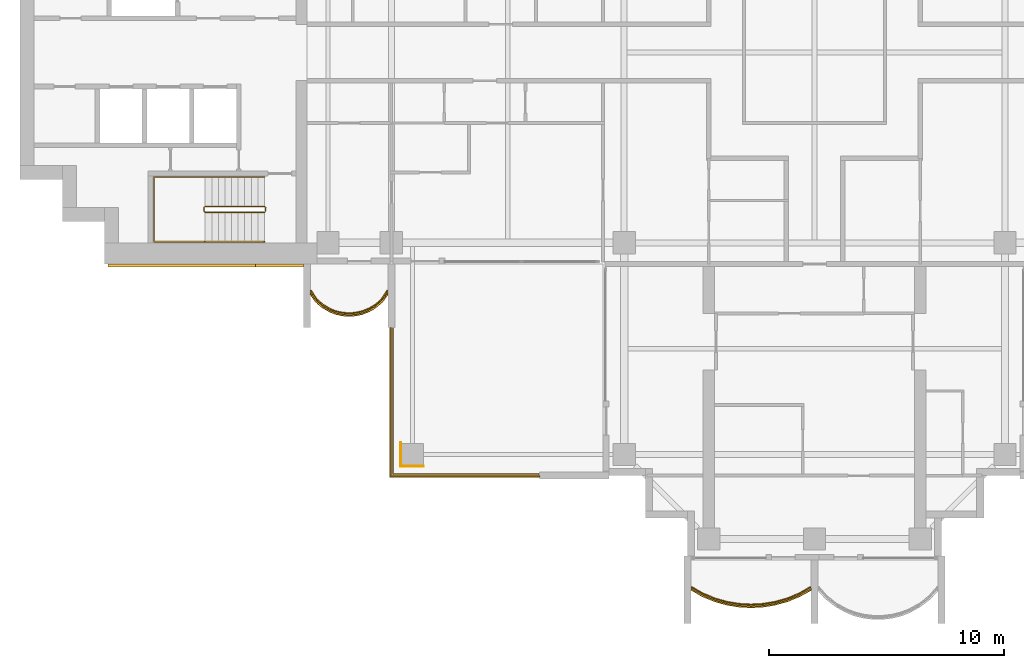
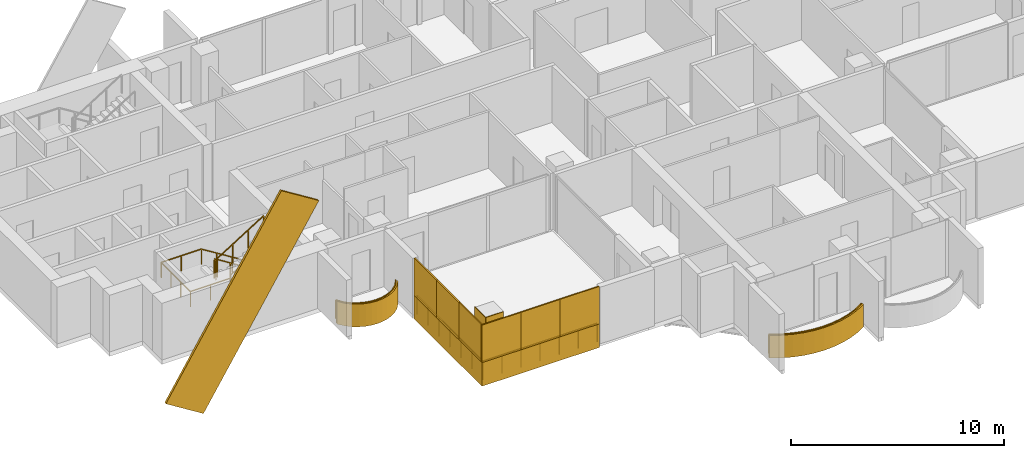
# One storey, part 14 of 17: 12 coverings, 5 railings.
"""IFC4 building model written with IfcOpenShell, lengths in metres."""

from ifc_helpers import new_model, si_unit, direction, frame, origin, origin_2d, place, context, subcontext, project, spatial, polyline, rectangle, outline, extrude, material, layer, layer_set, material_profile, profile_set, type_object, element, save


model = new_model("IFC4")

# Units and contexts
model_context = context("Model", 3, precision=1e-05, world=origin(), true_north=direction((0.0, 1.0)))
body_context = subcontext(model_context, "Body", "Model", "MODEL_VIEW")
ifc_project = project(units=[si_unit("LENGTHUNIT", "METRE"), si_unit("AREAUNIT", "SQUARE_METRE"), si_unit("VOLUMEUNIT", "CUBIC_METRE"), si_unit("PLANEANGLEUNIT", "RADIAN"), si_unit("MASSUNIT", "GRAM", prefix="KILO")], contexts=[model_context])

# Site, building, storey
site_placement = place(None, origin())
site = spatial("IfcSite", under=ifc_project, at=site_placement, CompositionType="ELEMENT")
building_placement = place(site_placement, origin())
building = spatial("IfcBuilding", under=site, at=building_placement, Name="Perihelion Cross Residences", CompositionType="ELEMENT")
storey_placement = place(building_placement, frame((0.0, 0.0, 198.10009765625)))
storey = spatial("IfcBuildingStorey", under=building, at=storey_placement, Name="L49", CompositionType="ELEMENT", Elevation=198.10009765625)

# Coverings
ifc_material_1 = material(Name="Bronze anodised aluminium", Category="aluminium")
ifc_layer_1 = layer(ifc_material_1, 0.070068359375)
ifc_layer_set_1 = layer_set([ifc_layer_1], Name="Balcony fascia 1300")
covering_type_1 = type_object("IfcCoveringType", Name="Balcony fascia 1300", PredefinedType="CLADDING", material=ifc_layer_set_1)
covering_1_placement = place(storey_placement, frame((0.0, 0.0, -0.2001953125)))
element("IfcCovering", 1, at=covering_1_placement, inside=storey, type_object=covering_type_1, Name="Fascia BF1 L49 west side south bay 1", PredefinedType="CLADDING", context=body_context, shape_type="SweptSolid", body=[
    extrude(outline(polyline([(-21.226318359375, -10.616455078125), (-20.94091796875, -10.86328125), (-20.655517578125, -11.031494140625), (-20.370361328125, -11.142578125), (-20.085205078125, -11.206298828125), (-19.800048828125, -11.22705078125), (-19.514892578125, -11.206298828125), (-19.229736328125, -11.142578125), (-18.9443359375, -11.031494140625), (-18.6591796875, -10.86328125), (-18.373779296875, -10.616455078125), (-18.14990234375, -10.31689453125), (-18.14990234375, -10.199951171875), (-18.425048828125, -10.568603515625), (-18.699951171875, -10.806396484375), (-18.97509765625, -10.96875), (-19.25, -11.07568359375), (-19.52490234375, -11.136962890625), (-19.800048828125, -11.156982421875), (-20.074951171875, -11.136962890625), (-20.35009765625, -11.07568359375), (-20.625, -10.96875), (-20.89990234375, -10.806396484375), (-21.175048828125, -10.568603515625), (-21.449951171875, -10.199951171875), (-21.449951171875, -10.31689453125), (-21.226318359375, -10.616455078125)])), origin(), (0.0, 0.0, 1.0), 1.300048828125),
])
covering_2_placement = place(storey_placement, frame((0.0, 0.0, -0.2001953125)))
element("IfcCovering", 2, at=covering_2_placement, inside=storey, type_object=covering_type_1, Name="Fascia BF1 L49 south tip south bay 1", PredefinedType="CLADDING", context=body_context, shape_type="SweptSolid", body=[
    extrude(outline(polyline([(-4.7705078125, -23.1484375), (-4.2529296875, -23.36083984375), (-3.735107421875, -23.506591796875), (-3.217529296875, -23.591796875), (-2.699951171875, -23.6201171875), (-2.182373046875, -23.591796875), (-1.664794921875, -23.506591796875), (-1.147216796875, -23.36083984375), (-0.629638671875, -23.1484375), (-0.14990234375, -22.880126953125), (-0.14990234375, -22.800048828125), (-0.659912109375, -23.085205078125), (-1.169921875, -23.294677734375), (-1.679931640625, -23.438232421875), (-2.18994140625, -23.522216796875), (-2.699951171875, -23.550048828125), (-3.2099609375, -23.522216796875), (-3.719970703125, -23.438232421875), (-4.22998046875, -23.294677734375), (-4.739990234375, -23.085205078125), (-5.25, -22.800048828125), (-5.25, -22.880126953125), (-4.7705078125, -23.1484375)])), origin(), (0.0, 0.0, 1.0), 1.300048828125),
])

# Railings
ifc_material_2 = material(Name="Bronze anodised aluminium", Category="aluminium")
railing_type_1 = type_object("IfcRailingType", Name="Balcony guard 1100", PredefinedType="GUARDRAIL", material=ifc_material_2)
railing_1_placement = place(storey_placement, frame((-21.425048828125, -10.139892578125, 0.0)))
element("IfcRailing", 3, at=railing_1_placement, inside=storey, type_object=railing_type_1, Name="Guard GU1 L49 west side south bay 1 balcony", PredefinedType="GUARDRAIL", context=body_context, shape_type="SweptSolid", body=[
    extrude(rectangle(XDim=0.048095703125, YDim=0.048095703125, at=origin_2d()), frame((0.0, 0.0, 1.076171875), z_axis=(0.561260132269, -0.827639452857, 0.0), x_axis=(0.827639452857, 0.561260132269, 0.0)), (0.0, 0.0, 1.0), 0.4453125),
    extrude(rectangle(XDim=0.048095703125, YDim=0.048095703125, at=origin_2d()), frame((0.25, -0.36865234375, 1.076171875), z_axis=(0.756596535164, -0.653882009982, 0.0), x_axis=(0.653882009982, 0.756596535164, 0.0)), (0.0, 0.0, 1.0), 0.36376953125),
    extrude(rectangle(XDim=0.048095703125, YDim=0.048095703125, at=origin_2d()), frame((0.525146484375, -0.6064453125, 1.076171875), z_axis=(0.861048292884, -0.508523192511, 0.0), x_axis=(0.508523192511, 0.861048292884, 0.0)), (0.0, 0.0, 1.0), 0.3193359375),
    extrude(rectangle(XDim=0.048095703125, YDim=0.048095703125, at=origin_2d()), frame((0.800048828125, -0.768798828125, 1.076171875), z_axis=(0.931973602183, -0.362526143656, 0.0), x_axis=(0.362526143656, 0.931973602183, 0.0)), (0.0, 0.0, 1.0), 0.294921875),
    extrude(rectangle(XDim=0.048095703125, YDim=0.048095703125, at=origin_2d()), frame((1.074951171875, -0.875732421875, 1.076171875), z_axis=(0.976085059389, -0.21738895289, 0.0), x_axis=(0.21738895289, 0.976085059389, 0.0)), (0.0, 0.0, 1.0), 0.281982421875),
    extrude(rectangle(XDim=0.048095703125, YDim=0.048095703125, at=origin_2d()), frame((1.35009765625, -0.93701171875, 1.076171875), z_axis=(0.997358821833, -0.072631814734, 0.0), x_axis=(0.072631814734, 0.997358821833, 0.0)), (0.0, 0.0, 1.0), 0.275634765625),
    extrude(rectangle(XDim=0.048095703125, YDim=0.048095703125, at=origin_2d()), frame((1.625, -0.95703125, 1.076171875), z_axis=(0.997363488337, 0.072567707226, 0.0), x_axis=(-0.072567707226, 0.997363488337, 0.0)), (0.0, 0.0, 1.0), 0.27587890625),
    extrude(rectangle(XDim=0.048095703125, YDim=0.048095703125, at=origin_2d()), frame((1.900146484375, -0.93701171875, 1.076171875), z_axis=(0.976044077717, 0.217572880557, 0.0), x_axis=(-0.217572880557, 0.976044077717, 0.0)), (0.0, 0.0, 1.0), 0.28173828125),
    extrude(rectangle(XDim=0.048095703125, YDim=0.048095703125, at=origin_2d()), frame((2.175048828125, -0.875732421875, 1.076171875), z_axis=(0.931973602183, 0.362526143656, 0.0), x_axis=(-0.362526143656, 0.931973602183, 0.0)), (0.0, 0.0, 1.0), 0.294921875),
    extrude(rectangle(XDim=0.048095703125, YDim=0.048095703125, at=origin_2d()), frame((2.449951171875, -0.768798828125, 1.076171875), z_axis=(0.861245845072, 0.508188542123, 0.0), x_axis=(-0.508188542123, 0.861245845072, 0.0)), (0.0, 0.0, 1.0), 0.319580078125),
    extrude(rectangle(XDim=0.048095703125, YDim=0.048095703125, at=origin_2d()), frame((2.72509765625, -0.6064453125, 1.076171875), z_axis=(0.756309278473, 0.654214242658, 0.0), x_axis=(-0.654214242658, 0.756309278473, 0.0)), (0.0, 0.0, 1.0), 0.363525390625),
    extrude(rectangle(XDim=0.048095703125, YDim=0.048095703125, at=origin_2d()), frame((3.0, -0.36865234375, 1.076171875), z_axis=(0.561260132269, 0.827639452857, 0.0), x_axis=(-0.827639452857, 0.561260132269, 0.0)), (0.0, 0.0, 1.0), 0.4453125),
    extrude(rectangle(XDim=0.0419921875, YDim=0.0419921875, at=origin_2d()), origin(), (0.0, 0.0, 1.0), 1.052001953125),
    extrude(rectangle(XDim=0.0419921875, YDim=0.0419921875, at=origin_2d()), frame((0.25, -0.36865234375, 0.0)), (0.0, 0.0, 1.0), 1.052001953125),
    extrude(rectangle(XDim=0.0419921875, YDim=0.0419921875, at=origin_2d()), frame((0.525146484375, -0.6064453125, 0.0)), (0.0, 0.0, 1.0), 1.052001953125),
    extrude(rectangle(XDim=0.0419921875, YDim=0.0419921875, at=origin_2d()), frame((0.800048828125, -0.768798828125, 0.0)), (0.0, 0.0, 1.0), 1.052001953125),
    extrude(rectangle(XDim=0.0419921875, YDim=0.0419921875, at=origin_2d()), frame((1.074951171875, -0.875732421875, 0.0)), (0.0, 0.0, 1.0), 1.052001953125),
    extrude(rectangle(XDim=0.0419921875, YDim=0.0419921875, at=origin_2d()), frame((1.35009765625, -0.93701171875, 0.0)), (0.0, 0.0, 1.0), 1.052001953125),
    extrude(rectangle(XDim=0.0419921875, YDim=0.0419921875, at=origin_2d()), frame((1.625, -0.95703125, 0.0)), (0.0, 0.0, 1.0), 1.052001953125),
    extrude(rectangle(XDim=0.0419921875, YDim=0.0419921875, at=origin_2d()), frame((1.900146484375, -0.93701171875, 0.0)), (0.0, 0.0, 1.0), 1.052001953125),
    extrude(rectangle(XDim=0.0419921875, YDim=0.0419921875, at=origin_2d()), frame((2.175048828125, -0.875732421875, 0.0)), (0.0, 0.0, 1.0), 1.052001953125),
    extrude(rectangle(XDim=0.0419921875, YDim=0.0419921875, at=origin_2d()), frame((2.449951171875, -0.768798828125, 0.0)), (0.0, 0.0, 1.0), 1.052001953125),
    extrude(rectangle(XDim=0.0419921875, YDim=0.0419921875, at=origin_2d()), frame((2.72509765625, -0.6064453125, 0.0)), (0.0, 0.0, 1.0), 1.052001953125),
    extrude(rectangle(XDim=0.0419921875, YDim=0.0419921875, at=origin_2d()), frame((3.0, -0.36865234375, 0.0)), (0.0, 0.0, 1.0), 1.052001953125),
    extrude(rectangle(XDim=0.0419921875, YDim=0.0419921875, at=origin_2d()), frame((3.25, 0.0, 0.0)), (0.0, 0.0, 1.0), 1.052001953125),
])
railing_2_placement = place(storey_placement, frame((-5.22509765625, -22.739990234375, 0.0)))
element("IfcRailing", 4, at=railing_2_placement, inside=storey, type_object=railing_type_1, Name="Guard GU1 L49 south tip south bay 1 balcony", PredefinedType="GUARDRAIL", context=body_context, shape_type="SweptSolid", body=[
    extrude(rectangle(XDim=0.048095703125, YDim=0.048095703125, at=origin_2d()), frame((0.0, 0.0, 1.076171875), z_axis=(0.861900760591, -0.507076995033, 0.0), x_axis=(0.507076995033, 0.861900760591, 0.0)), (0.0, 0.0, 1.0), 0.562744140625),
    extrude(rectangle(XDim=0.048095703125, YDim=0.048095703125, at=origin_2d()), frame((0.485107421875, -0.285400390625, 1.076171875), z_axis=(0.925172605972, -0.379546636342, 0.0), x_axis=(0.379546636342, 0.925172605972, 0.0)), (0.0, 0.0, 1.0), 0.55126953125),
    extrude(rectangle(XDim=0.048095703125, YDim=0.048095703125, at=origin_2d()), frame((0.9951171875, -0.49462890625, 1.076171875), z_axis=(0.962594623481, -0.270945734134, 0.0), x_axis=(0.270945734134, 0.962594623481, 0.0)), (0.0, 0.0, 1.0), 0.52978515625),
    extrude(rectangle(XDim=0.048095703125, YDim=0.048095703125, at=origin_2d()), frame((1.505126953125, -0.63818359375, 1.076171875), z_axis=(0.98663538303, -0.162943612803, 0.0), x_axis=(0.162943612803, 0.98663538303, 0.0)), (0.0, 0.0, 1.0), 0.516845703125),
    extrude(rectangle(XDim=0.048095703125, YDim=0.048095703125, at=origin_2d()), frame((2.01513671875, -0.722412109375, 1.076171875), z_axis=(0.998540183677, -0.05401390175, 0.0), x_axis=(0.05401390175, 0.998540183677, 0.0)), (0.0, 0.0, 1.0), 0.5107421875),
    extrude(rectangle(XDim=0.048095703125, YDim=0.048095703125, at=origin_2d()), frame((2.525146484375, -0.75, 1.076171875), z_axis=(0.998540183677, 0.05401390175, 0.0), x_axis=(-0.05401390175, 0.998540183677, 0.0)), (0.0, 0.0, 1.0), 0.5107421875),
    extrude(rectangle(XDim=0.048095703125, YDim=0.048095703125, at=origin_2d()), frame((3.03515625, -0.722412109375, 1.076171875), z_axis=(0.98663538303, 0.162943612803, 0.0), x_axis=(-0.162943612803, 0.98663538303, 0.0)), (0.0, 0.0, 1.0), 0.516845703125),
    extrude(rectangle(XDim=0.048095703125, YDim=0.048095703125, at=origin_2d()), frame((3.545166015625, -0.63818359375, 1.076171875), z_axis=(0.962594623481, 0.270945734134, 0.0), x_axis=(-0.270945734134, 0.962594623481, 0.0)), (0.0, 0.0, 1.0), 0.52978515625),
    extrude(rectangle(XDim=0.048095703125, YDim=0.048095703125, at=origin_2d()), frame((4.05517578125, -0.49462890625, 1.076171875), z_axis=(0.925172605972, 0.379546636342, 0.0), x_axis=(-0.379546636342, 0.925172605972, 0.0)), (0.0, 0.0, 1.0), 0.55126953125),
    extrude(rectangle(XDim=0.048095703125, YDim=0.048095703125, at=origin_2d()), frame((4.565185546875, -0.285400390625, 1.076171875), z_axis=(0.861789164031, 0.507266632806, 0.0), x_axis=(-0.507266632806, 0.861789164031, 0.0)), (0.0, 0.0, 1.0), 0.562744140625),
    extrude(rectangle(XDim=0.0419921875, YDim=0.0419921875, at=origin_2d()), origin(), (0.0, 0.0, 1.0), 1.052001953125),
    extrude(rectangle(XDim=0.0419921875, YDim=0.0419921875, at=origin_2d()), frame((0.485107421875, -0.285400390625, 0.0)), (0.0, 0.0, 1.0), 1.052001953125),
    extrude(rectangle(XDim=0.0419921875, YDim=0.0419921875, at=origin_2d()), frame((0.9951171875, -0.49462890625, 0.0)), (0.0, 0.0, 1.0), 1.052001953125),
    extrude(rectangle(XDim=0.0419921875, YDim=0.0419921875, at=origin_2d()), frame((1.505126953125, -0.63818359375, 0.0)), (0.0, 0.0, 1.0), 1.052001953125),
    extrude(rectangle(XDim=0.0419921875, YDim=0.0419921875, at=origin_2d()), frame((2.01513671875, -0.722412109375, 0.0)), (0.0, 0.0, 1.0), 1.052001953125),
    extrude(rectangle(XDim=0.0419921875, YDim=0.0419921875, at=origin_2d()), frame((2.525146484375, -0.75, 0.0)), (0.0, 0.0, 1.0), 1.052001953125),
    extrude(rectangle(XDim=0.0419921875, YDim=0.0419921875, at=origin_2d()), frame((3.03515625, -0.722412109375, 0.0)), (0.0, 0.0, 1.0), 1.052001953125),
    extrude(rectangle(XDim=0.0419921875, YDim=0.0419921875, at=origin_2d()), frame((3.545166015625, -0.63818359375, 0.0)), (0.0, 0.0, 1.0), 1.052001953125),
    extrude(rectangle(XDim=0.0419921875, YDim=0.0419921875, at=origin_2d()), frame((4.05517578125, -0.49462890625, 0.0)), (0.0, 0.0, 1.0), 1.052001953125),
    extrude(rectangle(XDim=0.0419921875, YDim=0.0419921875, at=origin_2d()), frame((4.565185546875, -0.285400390625, 0.0)), (0.0, 0.0, 1.0), 1.052001953125),
    extrude(rectangle(XDim=0.0419921875, YDim=0.0419921875, at=origin_2d()), frame((5.050048828125, 0.0, 0.0)), (0.0, 0.0, 1.0), 1.052001953125),
])
railing_3_placement = place(storey_placement, frame((-11.739990234375, -17.93994140625, 0.0)))
element("IfcRailing", 5, at=railing_3_placement, inside=storey, type_object=railing_type_1, Name="Guard GU1 L49 pocket south-west 1", PredefinedType="GUARDRAIL", context=body_context, shape_type="SweptSolid", body=[
    extrude(rectangle(XDim=0.048095703125, YDim=0.048095703125, at=origin_2d()), frame((0.0, 0.0, 1.076171875), z_axis=(-1.0, 0.0, 0.0), x_axis=(0.0, -1.0, 0.0)), (0.0, 0.0, 1.0), 6.199951171875),
    extrude(rectangle(XDim=0.048095703125, YDim=0.048095703125, at=origin_2d()), frame((-6.199951171875, 0.0, 1.076171875), z_axis=(0.0, 1.0, 0.0), x_axis=(-1.0, 0.0, 0.0)), (0.0, 0.0, 1.0), 6.199951171875),
    extrude(rectangle(XDim=0.0419921875, YDim=0.0419921875, at=origin_2d()), origin(), (0.0, 0.0, 1.0), 1.052001953125),
    extrude(rectangle(XDim=0.0419921875, YDim=0.0419921875, at=origin_2d()), frame((-1.033203125, 0.0, 0.0)), (0.0, 0.0, 1.0), 1.052001953125),
    extrude(rectangle(XDim=0.0419921875, YDim=0.0419921875, at=origin_2d()), frame((-2.066650390625, 0.0, 0.0)), (0.0, 0.0, 1.0), 1.052001953125),
    extrude(rectangle(XDim=0.0419921875, YDim=0.0419921875, at=origin_2d()), frame((-3.10009765625, 0.0, 0.0)), (0.0, 0.0, 1.0), 1.052001953125),
    extrude(rectangle(XDim=0.0419921875, YDim=0.0419921875, at=origin_2d()), frame((-4.13330078125, 0.0, 0.0)), (0.0, 0.0, 1.0), 1.052001953125),
    extrude(rectangle(XDim=0.0419921875, YDim=0.0419921875, at=origin_2d()), frame((-5.16650390625, 0.0, 0.0)), (0.0, 0.0, 1.0), 1.052001953125),
    extrude(rectangle(XDim=0.0419921875, YDim=0.0419921875, at=origin_2d()), frame((-6.199951171875, 0.0, 0.0)), (0.0, 0.0, 1.0), 1.052001953125),
    extrude(rectangle(XDim=0.0419921875, YDim=0.0419921875, at=origin_2d()), frame((-6.199951171875, 1.033203125, 0.0)), (0.0, 0.0, 1.0), 1.052001953125),
    extrude(rectangle(XDim=0.0419921875, YDim=0.0419921875, at=origin_2d()), frame((-6.199951171875, 2.066650390625, 0.0)), (0.0, 0.0, 1.0), 1.052001953125),
    extrude(rectangle(XDim=0.0419921875, YDim=0.0419921875, at=origin_2d()), frame((-6.199951171875, 3.10009765625, 0.0)), (0.0, 0.0, 1.0), 1.052001953125),
    extrude(rectangle(XDim=0.0419921875, YDim=0.0419921875, at=origin_2d()), frame((-6.199951171875, 4.13330078125, 0.0)), (0.0, 0.0, 1.0), 1.052001953125),
    extrude(rectangle(XDim=0.0419921875, YDim=0.0419921875, at=origin_2d()), frame((-6.199951171875, 5.16650390625, 0.0)), (0.0, 0.0, 1.0), 1.052001953125),
    extrude(rectangle(XDim=0.0419921875, YDim=0.0419921875, at=origin_2d()), frame((-6.199951171875, 6.199951171875, 0.0)), (0.0, 0.0, 1.0), 1.052001953125),
])

# Coverings
ifc_material_3 = material(Name="Bronze anodised aluminium", Category="aluminium")
ifc_material_profile = material_profile(ifc_material_3, rectangle(XDim=0.125, YDim=2.39990234375, at=origin_2d()), Name="Bronze cladding band 2400")
ifc_profile_set = profile_set([ifc_material_profile], Name="Bronze anodised aluminium")
covering_type_2 = type_object("IfcCoveringType", Name="Bronze cladding band 2400", PredefinedType="CLADDING", material=ifc_profile_set)
covering_3_placement = place(storey_placement, frame((-29.0322265625, -9.0625, -3.121826171875), z_axis=(0.529924684379, 0.0, 0.848044709249), x_axis=(0.0, 1.0, 0.0)))
element("IfcCovering", 6, at=covering_3_placement, inside=storey, type_object=covering_type_2, Name="Core cladding band, west core", PredefinedType="CLADDING", context=body_context, shape_type="SweptSolid", body=[
    extrude(rectangle(XDim=0.125, YDim=2.39990234375, at=origin_2d()), origin(), (0.0, 0.0, 1.0), 11.82177734375),
])
ifc_material_4 = material(Name="Bronze anodised aluminium", Category="aluminium")
ifc_layer_2 = layer(ifc_material_4, 0.0400390625)
ifc_layer_set_2 = layer_set([ifc_layer_2], Name="Bronze column casing 40")
covering_type_3 = type_object("IfcCoveringType", Name="Bronze column casing 40", PredefinedType="CLADDING", material=ifc_layer_set_2)
covering_4_placement = place(storey_placement, frame((-17.594970703125, -17.10009765625, -0.25), z_axis=(0.0, 0.0, 1.0), x_axis=(1.0, 0.0, 0.0)))
element("IfcCovering", 7, at=covering_4_placement, inside=storey, type_object=covering_type_3, Name="Cladding CC1 L49 casing east-west no. 1", PredefinedType="CLADDING", context=body_context, shape_type="SweptSolid", body=[
    extrude(rectangle(XDim=0.0400390625, YDim=1.030029296875, at=origin_2d()), origin(), (0.0, 0.0, 1.0), 3.5),
])
covering_5_placement = place(storey_placement, frame((-17.10009765625, -17.594970703125, -0.25), z_axis=(0.0, 0.0, 1.0), x_axis=(1.0, 0.0, 0.0)))
element("IfcCovering", 8, at=covering_5_placement, inside=storey, type_object=covering_type_3, Name="Cladding CC1 L49 casing north-south no. 1", PredefinedType="CLADDING", context=body_context, shape_type="SweptSolid", body=[
    extrude(rectangle(XDim=0.949951171875, YDim=0.0400390625, at=origin_2d()), origin(), (0.0, 0.0, 1.0), 3.5),
])
ifc_material_5 = material(Name="Bronze anodised aluminium", Category="aluminium")
ifc_layer_3 = layer(ifc_material_5, 0.070068359375)
ifc_layer_set_3 = layer_set([ifc_layer_3], Name="Pocket fascia 1350")
covering_type_4 = type_object("IfcCoveringType", Name="Pocket fascia 1350", PredefinedType="CLADDING", material=ifc_layer_set_3)
covering_6_placement = place(storey_placement, frame((0.0, 0.0, -0.25)))
element("IfcCovering", 9, at=covering_6_placement, inside=storey, type_object=covering_type_4, Name="Fascia BF2 L49 pocket south-west 1", PredefinedType="CLADDING", context=body_context, shape_type="SweptSolid", body=[
    extrude(outline(polyline([(-18.070068359375, -11.699951171875), (-18.070068359375, -18.070068359375), (-11.699951171875, -18.070068359375), (-11.699951171875, -18.0), (-18.0, -18.0), (-18.0, -11.699951171875), (-18.070068359375, -11.699951171875)])), origin(), (0.0, 0.0, 1.0), 1.349853515625),
])
ifc_material_6 = material(Name="Bronze perforated aluminium", Category="aluminium")
ifc_layer_4 = layer(ifc_material_6, 0.070068359375)
ifc_layer_set_4 = layer_set([ifc_layer_4], Name="Pocket solar screen, bronze perforated")
covering_type_5 = type_object("IfcCoveringType", Name="Pocket solar screen, bronze perforated", PredefinedType="CLADDING", material=ifc_layer_set_4)
covering_7_placement = place(storey_placement, frame((0.0, 0.0, 1.099853515625)))
element("IfcCovering", 10, at=covering_7_placement, inside=storey, type_object=covering_type_5, Name="Solar screen PS1 L49 pocket south-west no. 1", PredefinedType="CLADDING", context=body_context, shape_type="SweptSolid", body=[
    extrude(outline(polyline([(-18.0, -18.0), (-18.0, -15.89990234375), (-18.070068359375, -15.89990234375), (-18.070068359375, -18.0), (-18.0, -18.0)])), origin(), (0.0, 0.0, 1.0), 2.150146484375),
])
covering_8_placement = place(storey_placement, frame((0.0, 0.0, 1.099853515625)))
element("IfcCovering", 11, at=covering_8_placement, inside=storey, type_object=covering_type_5, Name="Solar screen PS1 L49 pocket south-west no. 2", PredefinedType="CLADDING", context=body_context, shape_type="SweptSolid", body=[
    extrude(outline(polyline([(-18.0, -15.89990234375), (-18.0, -13.800048828125), (-18.070068359375, -13.800048828125), (-18.070068359375, -15.89990234375), (-18.0, -15.89990234375)])), origin(), (0.0, 0.0, 1.0), 2.150146484375),
])
covering_9_placement = place(storey_placement, frame((0.0, 0.0, 1.099853515625)))
element("IfcCovering", 12, at=covering_9_placement, inside=storey, type_object=covering_type_5, Name="Solar screen PS1 L49 pocket south-west no. 3", PredefinedType="CLADDING", context=body_context, shape_type="SweptSolid", body=[
    extrude(outline(polyline([(-18.0, -13.800048828125), (-18.0, -11.699951171875), (-18.070068359375, -11.699951171875), (-18.070068359375, -13.800048828125), (-18.0, -13.800048828125)])), origin(), (0.0, 0.0, 1.0), 2.150146484375),
])
covering_10_placement = place(storey_placement, frame((0.0, 0.0, 1.099853515625)))
element("IfcCovering", 13, at=covering_10_placement, inside=storey, type_object=covering_type_5, Name="Solar screen PS1 L49 pocket south-west no. 4", PredefinedType="CLADDING", context=body_context, shape_type="SweptSolid", body=[
    extrude(outline(polyline([(-15.94677734375, -18.070068359375), (-15.94677734375, -18.0), (-18.070068359375, -18.0), (-18.070068359375, -18.070068359375), (-15.94677734375, -18.070068359375)])), origin(), (0.0, 0.0, 1.0), 2.150146484375),
])
covering_11_placement = place(storey_placement, frame((0.0, 0.0, 1.099853515625)))
element("IfcCovering", 14, at=covering_11_placement, inside=storey, type_object=covering_type_5, Name="Solar screen PS1 L49 pocket south-west no. 5", PredefinedType="CLADDING", context=body_context, shape_type="SweptSolid", body=[
    extrude(outline(polyline([(-13.8232421875, -18.070068359375), (-13.8232421875, -18.0), (-15.94677734375, -18.0), (-15.94677734375, -18.070068359375), (-13.8232421875, -18.070068359375)])), origin(), (0.0, 0.0, 1.0), 2.150146484375),
])
covering_12_placement = place(storey_placement, frame((0.0, 0.0, 1.099853515625)))
element("IfcCovering", 15, at=covering_12_placement, inside=storey, type_object=covering_type_5, Name="Solar screen PS1 L49 pocket south-west no. 6", PredefinedType="CLADDING", context=body_context, shape_type="SweptSolid", body=[
    extrude(outline(polyline([(-11.699951171875, -18.070068359375), (-11.699951171875, -18.0), (-13.8232421875, -18.0), (-13.8232421875, -18.070068359375), (-11.699951171875, -18.070068359375)])), origin(), (0.0, 0.0, 1.0), 2.150146484375),
])

# Railings
ifc_material_7 = material(Name="Stainless steel", Category="steel")
railing_type_2 = type_object("IfcRailingType", Name="Stair guard 1100", PredefinedType="GUARDRAIL", material=ifc_material_7)
railing_4_placement = place(storey_placement, frame((-23.35009765625, -6.75, 0.0)))
element("IfcRailing", 16, at=railing_4_placement, inside=storey, type_object=railing_type_2, Name="L49 ST-W2 stair guard 1", PredefinedType="GUARDRAIL", context=body_context, shape_type="SweptSolid", body=[
    extrude(rectangle(XDim=0.048095703125, YDim=0.048095703125, at=origin_2d()), frame((0.0, 0.0, 1.076171875), z_axis=(0.0, 1.0, 0.0), x_axis=(-1.0, 0.0, 0.0)), (0.0, 0.0, 1.0), 0.14990234375),
    extrude(rectangle(XDim=0.048095703125, YDim=0.048095703125, at=origin_2d()), frame((0.0, 0.14990234375, 1.076171875), z_axis=(-0.264179342666, 0.265474339444, 0.927217692888), x_axis=(-0.708833529934, -0.705375805398, 0.0)), (0.0, 0.0, 1.0), 0.1884765625),
    extrude(rectangle(XDim=0.048095703125, YDim=0.048095703125, at=origin_2d()), frame((-0.0498046875, 0.199951171875, 1.2509765625), z_axis=(-0.847970611238, 0.0, 0.530043245855), x_axis=(0.0, -1.0, 0.0)), (0.0, 0.0, 1.0), 2.971923828125),
    extrude(rectangle(XDim=0.048095703125, YDim=0.048095703125, at=origin_2d()), frame((-2.56982421875, 0.199951171875, 2.826171875), z_axis=(-0.707106781187, -0.707106781187, 0.0), x_axis=(0.707106781187, -0.707106781187, 0.0)), (0.0, 0.0, 1.0), 0.07080078125),
    extrude(rectangle(XDim=0.048095703125, YDim=0.048095703125, at=origin_2d()), frame((-2.619873046875, 0.14990234375, 2.826171875), z_axis=(0.0, -1.0, 0.0), x_axis=(1.0, 0.0, 0.0)), (0.0, 0.0, 1.0), 0.14990234375),
    extrude(rectangle(XDim=0.048095703125, YDim=0.048095703125, at=origin_2d()), frame((-2.619873046875, 0.0, 2.826171875), z_axis=(0.265383341853, -0.265383341853, 0.926899867156), x_axis=(0.707106781187, 0.707106781187, 0.0)), (0.0, 0.0, 1.0), 0.1884765625),
    extrude(rectangle(XDim=0.048095703125, YDim=0.048095703125, at=origin_2d()), frame((-2.56982421875, -0.050048828125, 3.0009765625), z_axis=(0.847970611238, 0.0, 0.530043245855), x_axis=(0.0, 1.0, 0.0)), (0.0, 0.0, 1.0), 2.971923828125),
    extrude(rectangle(XDim=0.0419921875, YDim=0.0419921875, at=origin_2d()), origin(), (0.0, 0.0, 1.0), 1.052001953125),
    extrude(rectangle(XDim=0.0419921875, YDim=0.0419921875, at=origin_2d()), frame((0.0, 0.14990234375, 0.0)), (0.0, 0.0, 1.0), 1.052001953125),
    extrude(rectangle(XDim=0.0419921875, YDim=0.0419921875, at=origin_2d()), frame((-0.0498046875, 0.199951171875, 0.1748046875)), (0.0, 0.0, 1.0), 1.052001953125),
    extrude(rectangle(XDim=0.0419921875, YDim=0.0419921875, at=origin_2d()), frame((-0.889892578125, 0.199951171875, 0.699951171875)), (0.0, 0.0, 1.0), 1.052001953125),
    extrude(rectangle(XDim=0.0419921875, YDim=0.0419921875, at=origin_2d()), frame((-1.729736328125, 0.199951171875, 1.224853515625)), (0.0, 0.0, 1.0), 1.052001953125),
    extrude(rectangle(XDim=0.0419921875, YDim=0.0419921875, at=origin_2d()), frame((-2.56982421875, 0.199951171875, 1.75)), (0.0, 0.0, 1.0), 1.052001953125),
    extrude(rectangle(XDim=0.0419921875, YDim=0.0419921875, at=origin_2d()), frame((-2.619873046875, 0.14990234375, 1.75)), (0.0, 0.0, 1.0), 1.052001953125),
    extrude(rectangle(XDim=0.0419921875, YDim=0.0419921875, at=origin_2d()), frame((-2.619873046875, 0.0, 1.75)), (0.0, 0.0, 1.0), 1.052001953125),
    extrude(rectangle(XDim=0.0419921875, YDim=0.0419921875, at=origin_2d()), frame((-2.56982421875, -0.050048828125, 1.9248046875)), (0.0, 0.0, 1.0), 1.052001953125),
    extrude(rectangle(XDim=0.0419921875, YDim=0.0419921875, at=origin_2d()), frame((-1.729736328125, -0.050048828125, 2.449951171875)), (0.0, 0.0, 1.0), 1.052001953125),
    extrude(rectangle(XDim=0.0419921875, YDim=0.0419921875, at=origin_2d()), frame((-0.889892578125, -0.050048828125, 2.974853515625)), (0.0, 0.0, 1.0), 1.052001953125),
    extrude(rectangle(XDim=0.0419921875, YDim=0.0419921875, at=origin_2d()), frame((-0.0498046875, -0.050048828125, 3.5)), (0.0, 0.0, 1.0), 1.052001953125),
])
ifc_material_8 = material(Name="Stainless steel", Category="steel")
railing_type_3 = type_object("IfcRailingType", Name="Stair handrail 900", PredefinedType="HANDRAIL", material=ifc_material_8)
railing_5_placement = place(storey_placement, frame((-23.39990234375, -5.300048828125, 0.1748046875)))
element("IfcRailing", 17, at=railing_5_placement, inside=storey, type_object=railing_type_3, Name="L49 ST-W2 stair handrail 1", PredefinedType="HANDRAIL", context=body_context, shape_type="SweptSolid", body=[
    extrude(rectangle(XDim=0.048095703125, YDim=0.048095703125, at=origin_2d()), frame((0.0, 0.0, 0.8759765625), z_axis=(-0.847970611238, 0.0, 0.530043245855), x_axis=(0.0, -1.0, 0.0)), (0.0, 0.0, 1.0), 2.971923828125),
    extrude(rectangle(XDim=0.048095703125, YDim=0.048095703125, at=origin_2d()), frame((-2.52001953125, 0.0, 2.451171875), z_axis=(-1.0, 0.0, 0.0), x_axis=(0.0, -1.0, 0.0)), (0.0, 0.0, 1.0), 2.18017578125),
    extrude(rectangle(XDim=0.048095703125, YDim=0.048095703125, at=origin_2d()), frame((-4.7001953125, 0.0, 2.451171875), z_axis=(0.0, -1.0, 0.0), x_axis=(1.0, 0.0, 0.0)), (0.0, 0.0, 1.0), 2.75),
    extrude(rectangle(XDim=0.048095703125, YDim=0.048095703125, at=origin_2d()), frame((-4.7001953125, -2.75, 2.451171875), z_axis=(1.0, 0.0, 0.0), x_axis=(0.0, 1.0, 0.0)), (0.0, 0.0, 1.0), 2.18017578125),
    extrude(rectangle(XDim=0.048095703125, YDim=0.048095703125, at=origin_2d()), frame((-2.52001953125, -2.75, 2.451171875), z_axis=(0.0, 0.0, 1.0), x_axis=(1.0, 0.0, 0.0)), (0.0, 0.0, 1.0), 0.1748046875),
    extrude(rectangle(XDim=0.048095703125, YDim=0.048095703125, at=origin_2d()), frame((-2.52001953125, -2.75, 2.6259765625), z_axis=(0.847970611238, 0.0, 0.530043245855), x_axis=(0.0, 1.0, 0.0)), (0.0, 0.0, 1.0), 2.971923828125),
    extrude(rectangle(XDim=0.0419921875, YDim=0.0419921875, at=origin_2d()), origin(), (0.0, 0.0, 1.0), 0.851806640625),
    extrude(rectangle(XDim=0.0419921875, YDim=0.0419921875, at=origin_2d()), frame((-0.840087890625, 0.0, 0.525146484375)), (0.0, 0.0, 1.0), 0.851806640625),
    extrude(rectangle(XDim=0.0419921875, YDim=0.0419921875, at=origin_2d()), frame((-1.679931640625, 0.0, 1.050048828125)), (0.0, 0.0, 1.0), 0.851806640625),
    extrude(rectangle(XDim=0.0419921875, YDim=0.0419921875, at=origin_2d()), frame((-2.52001953125, 0.0, 1.5751953125)), (0.0, 0.0, 1.0), 0.851806640625),
    extrude(rectangle(XDim=0.0419921875, YDim=0.0419921875, at=origin_2d()), frame((-3.610107421875, 0.0, 1.5751953125)), (0.0, 0.0, 1.0), 0.851806640625),
    extrude(rectangle(XDim=0.0419921875, YDim=0.0419921875, at=origin_2d()), frame((-4.7001953125, 0.0, 1.5751953125)), (0.0, 0.0, 1.0), 0.851806640625),
    extrude(rectangle(XDim=0.0419921875, YDim=0.0419921875, at=origin_2d()), frame((-4.7001953125, -0.916748046875, 1.5751953125)), (0.0, 0.0, 1.0), 0.851806640625),
    extrude(rectangle(XDim=0.0419921875, YDim=0.0419921875, at=origin_2d()), frame((-4.7001953125, -1.833251953125, 1.5751953125)), (0.0, 0.0, 1.0), 0.851806640625),
    extrude(rectangle(XDim=0.0419921875, YDim=0.0419921875, at=origin_2d()), frame((-4.7001953125, -2.75, 1.5751953125)), (0.0, 0.0, 1.0), 0.851806640625),
    extrude(rectangle(XDim=0.0419921875, YDim=0.0419921875, at=origin_2d()), frame((-3.610107421875, -2.75, 1.5751953125)), (0.0, 0.0, 1.0), 0.851806640625),
    extrude(rectangle(XDim=0.0419921875, YDim=0.0419921875, at=origin_2d()), frame((-2.52001953125, -2.75, 1.5751953125)), (0.0, 0.0, 1.0), 0.851806640625),
    extrude(rectangle(XDim=0.0419921875, YDim=0.0419921875, at=origin_2d()), frame((-2.52001953125, -2.75, 1.75)), (0.0, 0.0, 1.0), 0.851806640625),
    extrude(rectangle(XDim=0.0419921875, YDim=0.0419921875, at=origin_2d()), frame((-1.679931640625, -2.75, 2.275146484375)), (0.0, 0.0, 1.0), 0.851806640625),
    extrude(rectangle(XDim=0.0419921875, YDim=0.0419921875, at=origin_2d()), frame((-0.840087890625, -2.75, 2.800048828125)), (0.0, 0.0, 1.0), 0.851806640625),
    extrude(rectangle(XDim=0.0419921875, YDim=0.0419921875, at=origin_2d()), frame((0.0, -2.75, 3.3251953125)), (0.0, 0.0, 1.0), 0.851806640625),
])

save(model, "model.ifc")
